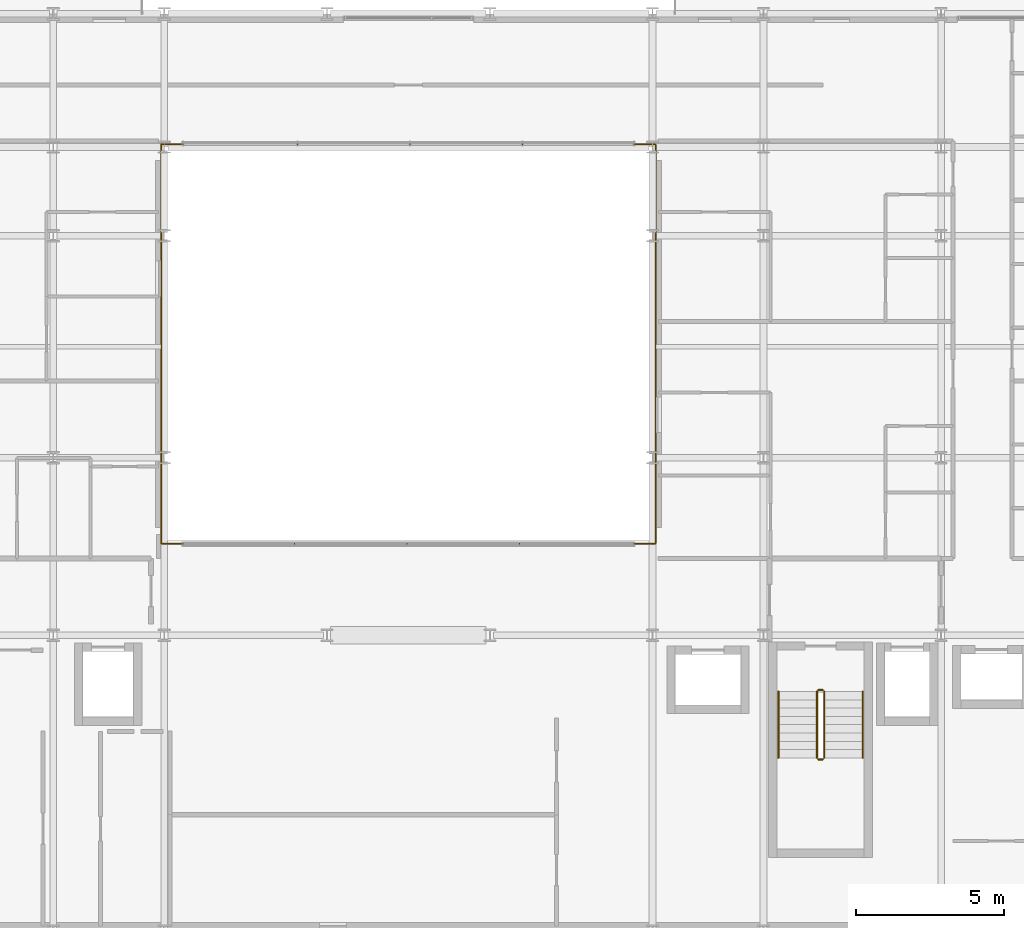
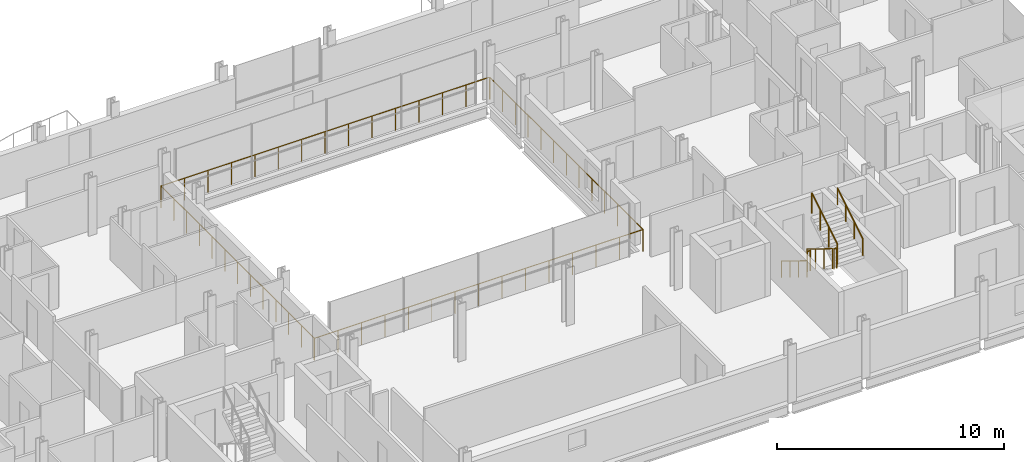
# One storey, part 39 of 40: 8 railings.
"""IFC4 building model written with IfcOpenShell, lengths in metres."""

from ifc_helpers import new_model, si_unit, direction, frame, origin, origin_2d, place, context, subcontext, project, spatial, circle, extrude, material, type_object, element, save


model = new_model("IFC4")

# Units and contexts
model_context = context("Model", 3, precision=1e-05, world=origin(), true_north=direction((0.0, 1.0)))
body_context = subcontext(model_context, "Body", "Model", "MODEL_VIEW")
ifc_project = project(units=[si_unit("LENGTHUNIT", "METRE"), si_unit("AREAUNIT", "SQUARE_METRE"), si_unit("VOLUMEUNIT", "CUBIC_METRE"), si_unit("PLANEANGLEUNIT", "RADIAN"), si_unit("MASSUNIT", "GRAM", prefix="KILO")], contexts=[model_context])

# Site, building, storey
site_placement = place(None, origin())
site = spatial("IfcSite", under=ifc_project, at=site_placement, CompositionType="ELEMENT")
building_placement = place(site_placement, origin())
building = spatial("IfcBuilding", under=site, at=building_placement, Name="Brevholm Reach", CompositionType="ELEMENT")
storey_placement = place(building_placement, frame((0.0, 0.0, 125.199951171875)))
storey = spatial("IfcBuildingStorey", under=building, at=storey_placement, Name="L37", CompositionType="ELEMENT", Elevation=125.199951171875)

# Railings
ifc_material_1 = material(Name="Brushed Stainless Steel EN 1.4401 Continuous Handrail", Category="steel")
railing_type_1 = type_object("IfcRailingType", Name="RAL-HND-950", PredefinedType="HANDRAIL", material=ifc_material_1)
railing_1_placement = place(storey_placement, frame((42.5, 8.10009765625, 0.17236328125)))
element("IfcRailing", 1, at=railing_1_placement, inside=storey, type_object=railing_type_1, Name="L37 ST-2 stair handrail 1", PredefinedType="HANDRAIL", context=body_context, shape_type="SweptSolid", body=[
    extrude(circle(Radius=0.02392578125, at=origin_2d()), frame((0.0, 0.0, 0.8857421875), z_axis=(0.0, -0.85178898068, 0.523885037382), x_axis=(1.0, 0.0, 0.0)), (0.0, 0.0, 1.0), 2.629638671875),
    extrude(circle(Radius=0.02099609375, at=origin_2d()), origin(), (0.0, 0.0, 1.0), 0.86181640625),
    extrude(circle(Radius=0.02099609375, at=origin_2d()), frame((0.0, -0.74658203125, 0.459228515625)), (0.0, 0.0, 1.0), 0.86181640625),
    extrude(circle(Radius=0.02099609375, at=origin_2d()), frame((0.0, -1.493408203125, 0.91845703125)), (0.0, 0.0, 1.0), 0.86181640625),
    extrude(circle(Radius=0.02099609375, at=origin_2d()), frame((0.0, -2.239990234375, 1.377685546875)), (0.0, 0.0, 1.0), 0.86181640625),
])
railing_2_placement = place(storey_placement, frame((45.35009765625, 5.860107421875, 1.72216796875)))
element("IfcRailing", 2, at=railing_2_placement, inside=storey, type_object=railing_type_1, Name="L37 ST-2 stair handrail 2", PredefinedType="HANDRAIL", context=body_context, shape_type="SweptSolid", body=[
    extrude(circle(Radius=0.02392578125, at=origin_2d()), frame((0.0, 0.0, 0.8857421875), z_axis=(0.0, 0.851747552033, 0.523952390591), x_axis=(-1.0, 0.0, 0.0)), (0.0, 0.0, 1.0), 2.6298828125),
    extrude(circle(Radius=0.02099609375, at=origin_2d()), origin(), (0.0, 0.0, 1.0), 0.86181640625),
    extrude(circle(Radius=0.02099609375, at=origin_2d()), frame((0.0, 0.74658203125, 0.459228515625)), (0.0, 0.0, 1.0), 0.86181640625),
    extrude(circle(Radius=0.02099609375, at=origin_2d()), frame((0.0, 1.493408203125, 0.918701171875)), (0.0, 0.0, 1.0), 0.86181640625),
    extrude(circle(Radius=0.02099609375, at=origin_2d()), frame((0.0, 2.239990234375, 1.3779296875)), (0.0, 0.0, 1.0), 0.86181640625),
])
ifc_material_2 = material(Name="Painted Tubular Galvanised Steel S275JR Stair Guard", Category="steel")
railing_type_2 = type_object("IfcRailingType", Name="RAL-STG-1120", PredefinedType="BALUSTRADE", material=ifc_material_2)
railing_3_placement = place(storey_placement, frame((43.800048828125, 8.10009765625, 0.17236328125)))
element("IfcRailing", 3, at=railing_3_placement, inside=storey, type_object=railing_type_2, Name="L37 ST-2 stair guard 1", PredefinedType="BALUSTRADE", context=body_context, shape_type="SweptSolid", body=[
    extrude(circle(Radius=0.02392578125, at=origin_2d()), frame((0.0, 0.0, 1.076171875), z_axis=(0.0, -0.85178898068, 0.523885037382), x_axis=(1.0, 0.0, 0.0)), (0.0, 0.0, 1.0), 2.629638671875),
    extrude(circle(Radius=0.02099609375, at=origin_2d()), origin(), (0.0, 0.0, 1.0), 1.052001953125),
    extrude(circle(Radius=0.02099609375, at=origin_2d()), frame((0.0, -0.74658203125, 0.459228515625)), (0.0, 0.0, 1.0), 1.052001953125),
    extrude(circle(Radius=0.02099609375, at=origin_2d()), frame((0.0, -1.493408203125, 0.91845703125)), (0.0, 0.0, 1.0), 1.052001953125),
    extrude(circle(Radius=0.02099609375, at=origin_2d()), frame((0.0, -2.239990234375, 1.377685546875)), (0.0, 0.0, 1.0), 1.052001953125),
])
railing_4_placement = place(storey_placement, frame((43.85009765625, 5.81005859375, 1.550048828125)))
element("IfcRailing", 4, at=railing_4_placement, inside=storey, type_object=railing_type_2, Name="L37 ST-2 stair guard 2", PredefinedType="BALUSTRADE", context=body_context, shape_type="SweptSolid", body=[
    extrude(circle(Radius=0.02392578125, at=origin_2d()), frame((0.0, 0.0, 1.076171875), z_axis=(1.0, 0.0, 0.0), x_axis=(0.0, 1.0, 0.0)), (0.0, 0.0, 1.0), 0.14990234375),
    extrude(circle(Radius=0.02099609375, at=origin_2d()), origin(), (0.0, 0.0, 1.0), 1.052001953125),
    extrude(circle(Radius=0.02099609375, at=origin_2d()), frame((0.14990234375, 0.0, 0.0)), (0.0, 0.0, 1.0), 1.052001953125),
])
railing_5_placement = place(storey_placement, frame((44.050048828125, 5.860107421875, 1.72216796875)))
element("IfcRailing", 5, at=railing_5_placement, inside=storey, type_object=railing_type_2, Name="L37 ST-2 stair guard 3", PredefinedType="BALUSTRADE", context=body_context, shape_type="SweptSolid", body=[
    extrude(circle(Radius=0.02392578125, at=origin_2d()), frame((0.0, 0.0, 1.076171875), z_axis=(0.0, 0.851747552033, 0.523952390591), x_axis=(-1.0, 0.0, 0.0)), (0.0, 0.0, 1.0), 2.6298828125),
    extrude(circle(Radius=0.02099609375, at=origin_2d()), origin(), (0.0, 0.0, 1.0), 1.052001953125),
    extrude(circle(Radius=0.02099609375, at=origin_2d()), frame((0.0, 0.74658203125, 0.459228515625)), (0.0, 0.0, 1.0), 1.052001953125),
    extrude(circle(Radius=0.02099609375, at=origin_2d()), frame((0.0, 1.493408203125, 0.918701171875)), (0.0, 0.0, 1.0), 1.052001953125),
    extrude(circle(Radius=0.02099609375, at=origin_2d()), frame((0.0, 2.239990234375, 1.3779296875)), (0.0, 0.0, 1.0), 1.052001953125),
])
railing_6_placement = place(storey_placement, frame((43.85009765625, 8.14990234375, 0.0)))
element("IfcRailing", 6, at=railing_6_placement, inside=storey, type_object=railing_type_2, Name="L37 ST-2 stair guard 4", PredefinedType="BALUSTRADE", context=body_context, shape_type="SweptSolid", body=[
    extrude(circle(Radius=0.02392578125, at=origin_2d()), frame((0.0, 0.0, 1.076171875), z_axis=(1.0, 0.0, 0.0), x_axis=(0.0, 1.0, 0.0)), (0.0, 0.0, 1.0), 0.14990234375),
    extrude(circle(Radius=0.02099609375, at=origin_2d()), origin(), (0.0, 0.0, 1.0), 1.052001953125),
    extrude(circle(Radius=0.02099609375, at=origin_2d()), frame((0.14990234375, 0.0, 0.0)), (0.0, 0.0, 1.0), 1.052001953125),
])
ifc_material_3 = material(Name="Brushed Stainless Steel EN 1.4401 and Laminated Glass", Category="steel")
railing_type_3 = type_object("IfcRailingType", Name="RAL-TERR-1200", PredefinedType="BALUSTRADE", material=ifc_material_3)
railing_7_placement = place(storey_placement, frame((21.64990234375, 13.10009765625, 0.0)))
element("IfcRailing", 7, at=railing_7_placement, inside=storey, type_object=railing_type_3, Name="L37 Guard Balustrade RAL-L37-AT-VOID-SW", PredefinedType="BALUSTRADE", context=body_context, shape_type="SweptSolid", body=[
    extrude(circle(Radius=0.02392578125, at=origin_2d()), frame((0.0, 0.0, 1.17578125), z_axis=(1.0, 0.0, 0.0), x_axis=(0.0, 1.0, 0.0)), (0.0, 0.0, 1.0), 16.7001953125),
    extrude(circle(Radius=0.02392578125, at=origin_2d()), frame((16.7001953125, 0.0, 1.17578125), z_axis=(0.0, 1.0, 0.0), x_axis=(-1.0, 0.0, 0.0)), (0.0, 0.0, 1.0), 13.47998046875),
    extrude(circle(Radius=0.02099609375, at=origin_2d()), origin(), (0.0, 0.0, 1.0), 1.15185546875),
    extrude(circle(Radius=0.02099609375, at=origin_2d()), frame((1.19287109375, 0.0, 0.0)), (0.0, 0.0, 1.0), 1.15185546875),
    extrude(circle(Radius=0.02099609375, at=origin_2d()), frame((2.3857421875, 0.0, 0.0)), (0.0, 0.0, 1.0), 1.15185546875),
    extrude(circle(Radius=0.02099609375, at=origin_2d()), frame((3.57861328125, 0.0, 0.0)), (0.0, 0.0, 1.0), 1.15185546875),
    extrude(circle(Radius=0.02099609375, at=origin_2d()), frame((4.771484375, 0.0, 0.0)), (0.0, 0.0, 1.0), 1.15185546875),
    extrude(circle(Radius=0.02099609375, at=origin_2d()), frame((5.96435546875, 0.0, 0.0)), (0.0, 0.0, 1.0), 1.15185546875),
    extrude(circle(Radius=0.02099609375, at=origin_2d()), frame((7.1572265625, 0.0, 0.0)), (0.0, 0.0, 1.0), 1.15185546875),
    extrude(circle(Radius=0.02099609375, at=origin_2d()), frame((8.35009765625, 0.0, 0.0)), (0.0, 0.0, 1.0), 1.15185546875),
    extrude(circle(Radius=0.02099609375, at=origin_2d()), frame((9.54296875, 0.0, 0.0)), (0.0, 0.0, 1.0), 1.15185546875),
    extrude(circle(Radius=0.02099609375, at=origin_2d()), frame((10.73583984375, 0.0, 0.0)), (0.0, 0.0, 1.0), 1.15185546875),
    extrude(circle(Radius=0.02099609375, at=origin_2d()), frame((11.9287109375, 0.0, 0.0)), (0.0, 0.0, 1.0), 1.15185546875),
    extrude(circle(Radius=0.02099609375, at=origin_2d()), frame((13.12158203125, 0.0, 0.0)), (0.0, 0.0, 1.0), 1.15185546875),
    extrude(circle(Radius=0.02099609375, at=origin_2d()), frame((14.314453125, 0.0, 0.0)), (0.0, 0.0, 1.0), 1.15185546875),
    extrude(circle(Radius=0.02099609375, at=origin_2d()), frame((15.50732421875, 0.0, 0.0)), (0.0, 0.0, 1.0), 1.15185546875),
    extrude(circle(Radius=0.02099609375, at=origin_2d()), frame((16.7001953125, 0.0, 0.0)), (0.0, 0.0, 1.0), 1.15185546875),
    extrude(circle(Radius=0.02099609375, at=origin_2d()), frame((16.7001953125, 1.123291015625, 0.0)), (0.0, 0.0, 1.0), 1.15185546875),
    extrude(circle(Radius=0.02099609375, at=origin_2d()), frame((16.7001953125, 2.24658203125, 0.0)), (0.0, 0.0, 1.0), 1.15185546875),
    extrude(circle(Radius=0.02099609375, at=origin_2d()), frame((16.7001953125, 3.3701171875, 0.0)), (0.0, 0.0, 1.0), 1.15185546875),
    extrude(circle(Radius=0.02099609375, at=origin_2d()), frame((16.7001953125, 4.493408203125, 0.0)), (0.0, 0.0, 1.0), 1.15185546875),
    extrude(circle(Radius=0.02099609375, at=origin_2d()), frame((16.7001953125, 5.61669921875, 0.0)), (0.0, 0.0, 1.0), 1.15185546875),
    extrude(circle(Radius=0.02099609375, at=origin_2d()), frame((16.7001953125, 6.739990234375, 0.0)), (0.0, 0.0, 1.0), 1.15185546875),
    extrude(circle(Radius=0.02099609375, at=origin_2d()), frame((16.7001953125, 7.86328125, 0.0)), (0.0, 0.0, 1.0), 1.15185546875),
    extrude(circle(Radius=0.02099609375, at=origin_2d()), frame((16.7001953125, 8.986572265625, 0.0)), (0.0, 0.0, 1.0), 1.15185546875),
    extrude(circle(Radius=0.02099609375, at=origin_2d()), frame((16.7001953125, 10.10986328125, 0.0)), (0.0, 0.0, 1.0), 1.15185546875),
    extrude(circle(Radius=0.02099609375, at=origin_2d()), frame((16.7001953125, 11.2333984375, 0.0)), (0.0, 0.0, 1.0), 1.15185546875),
    extrude(circle(Radius=0.02099609375, at=origin_2d()), frame((16.7001953125, 12.356689453125, 0.0)), (0.0, 0.0, 1.0), 1.15185546875),
    extrude(circle(Radius=0.02099609375, at=origin_2d()), frame((16.7001953125, 13.47998046875, 0.0)), (0.0, 0.0, 1.0), 1.15185546875),
])
railing_8_placement = place(storey_placement, frame((38.330078125, 26.60009765625, 0.0)))
element("IfcRailing", 8, at=railing_8_placement, inside=storey, type_object=railing_type_3, Name="L37 Guard Balustrade RAL-L37-AT-VOID-NE", PredefinedType="BALUSTRADE", context=body_context, shape_type="SweptSolid", body=[
    extrude(circle(Radius=0.02392578125, at=origin_2d()), frame((0.0, 0.0, 1.17578125), z_axis=(-1.0, 0.0, 0.0), x_axis=(0.0, -1.0, 0.0)), (0.0, 0.0, 1.0), 16.68017578125),
    extrude(circle(Radius=0.02392578125, at=origin_2d()), frame((-16.68017578125, 0.0, 1.17578125), z_axis=(0.0, -1.0, 0.0), x_axis=(1.0, 0.0, 0.0)), (0.0, 0.0, 1.0), 13.47998046875),
    extrude(circle(Radius=0.02099609375, at=origin_2d()), origin(), (0.0, 0.0, 1.0), 1.15185546875),
    extrude(circle(Radius=0.02099609375, at=origin_2d()), frame((-1.19140625, 0.0, 0.0)), (0.0, 0.0, 1.0), 1.15185546875),
    extrude(circle(Radius=0.02099609375, at=origin_2d()), frame((-2.3828125, 0.0, 0.0)), (0.0, 0.0, 1.0), 1.15185546875),
    extrude(circle(Radius=0.02099609375, at=origin_2d()), frame((-3.57421875, 0.0, 0.0)), (0.0, 0.0, 1.0), 1.15185546875),
    extrude(circle(Radius=0.02099609375, at=origin_2d()), frame((-4.765869140625, 0.0, 0.0)), (0.0, 0.0, 1.0), 1.15185546875),
    extrude(circle(Radius=0.02099609375, at=origin_2d()), frame((-5.957275390625, 0.0, 0.0)), (0.0, 0.0, 1.0), 1.15185546875),
    extrude(circle(Radius=0.02099609375, at=origin_2d()), frame((-7.148681640625, 0.0, 0.0)), (0.0, 0.0, 1.0), 1.15185546875),
    extrude(circle(Radius=0.02099609375, at=origin_2d()), frame((-8.340087890625, 0.0, 0.0)), (0.0, 0.0, 1.0), 1.15185546875),
    extrude(circle(Radius=0.02099609375, at=origin_2d()), frame((-9.531494140625, 0.0, 0.0)), (0.0, 0.0, 1.0), 1.15185546875),
    extrude(circle(Radius=0.02099609375, at=origin_2d()), frame((-10.722900390625, 0.0, 0.0)), (0.0, 0.0, 1.0), 1.15185546875),
    extrude(circle(Radius=0.02099609375, at=origin_2d()), frame((-11.914306640625, 0.0, 0.0)), (0.0, 0.0, 1.0), 1.15185546875),
    extrude(circle(Radius=0.02099609375, at=origin_2d()), frame((-13.10595703125, 0.0, 0.0)), (0.0, 0.0, 1.0), 1.15185546875),
    extrude(circle(Radius=0.02099609375, at=origin_2d()), frame((-14.29736328125, 0.0, 0.0)), (0.0, 0.0, 1.0), 1.15185546875),
    extrude(circle(Radius=0.02099609375, at=origin_2d()), frame((-15.48876953125, 0.0, 0.0)), (0.0, 0.0, 1.0), 1.15185546875),
    extrude(circle(Radius=0.02099609375, at=origin_2d()), frame((-16.68017578125, 0.0, 0.0)), (0.0, 0.0, 1.0), 1.15185546875),
    extrude(circle(Radius=0.02099609375, at=origin_2d()), frame((-16.68017578125, -1.123291015625, 0.0)), (0.0, 0.0, 1.0), 1.15185546875),
    extrude(circle(Radius=0.02099609375, at=origin_2d()), frame((-16.68017578125, -2.24658203125, 0.0)), (0.0, 0.0, 1.0), 1.15185546875),
    extrude(circle(Radius=0.02099609375, at=origin_2d()), frame((-16.68017578125, -3.3701171875, 0.0)), (0.0, 0.0, 1.0), 1.15185546875),
    extrude(circle(Radius=0.02099609375, at=origin_2d()), frame((-16.68017578125, -4.493408203125, 0.0)), (0.0, 0.0, 1.0), 1.15185546875),
    extrude(circle(Radius=0.02099609375, at=origin_2d()), frame((-16.68017578125, -5.61669921875, 0.0)), (0.0, 0.0, 1.0), 1.15185546875),
    extrude(circle(Radius=0.02099609375, at=origin_2d()), frame((-16.68017578125, -6.739990234375, 0.0)), (0.0, 0.0, 1.0), 1.15185546875),
    extrude(circle(Radius=0.02099609375, at=origin_2d()), frame((-16.68017578125, -7.86328125, 0.0)), (0.0, 0.0, 1.0), 1.15185546875),
    extrude(circle(Radius=0.02099609375, at=origin_2d()), frame((-16.68017578125, -8.986572265625, 0.0)), (0.0, 0.0, 1.0), 1.15185546875),
    extrude(circle(Radius=0.02099609375, at=origin_2d()), frame((-16.68017578125, -10.10986328125, 0.0)), (0.0, 0.0, 1.0), 1.15185546875),
    extrude(circle(Radius=0.02099609375, at=origin_2d()), frame((-16.68017578125, -11.2333984375, 0.0)), (0.0, 0.0, 1.0), 1.15185546875),
    extrude(circle(Radius=0.02099609375, at=origin_2d()), frame((-16.68017578125, -12.356689453125, 0.0)), (0.0, 0.0, 1.0), 1.15185546875),
    extrude(circle(Radius=0.02099609375, at=origin_2d()), frame((-16.68017578125, -13.47998046875, 0.0)), (0.0, 0.0, 1.0), 1.15185546875),
])

save(model, "model.ifc")
